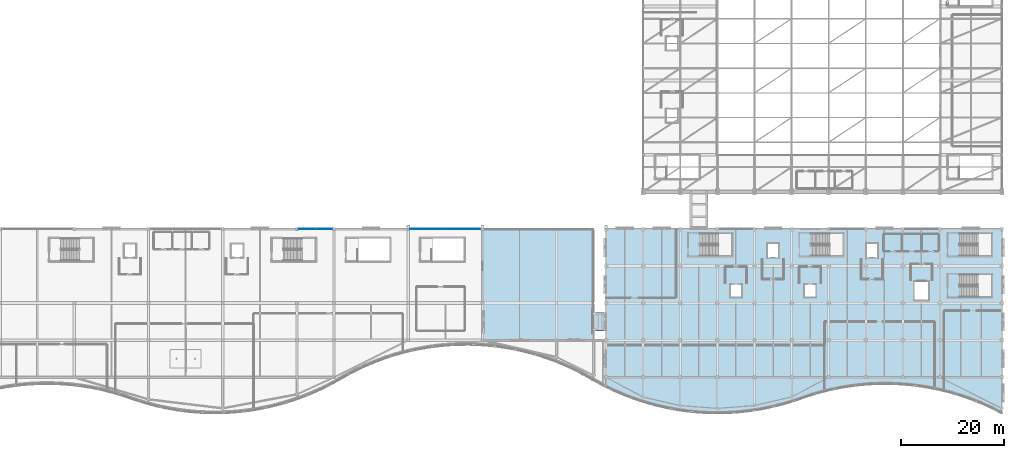
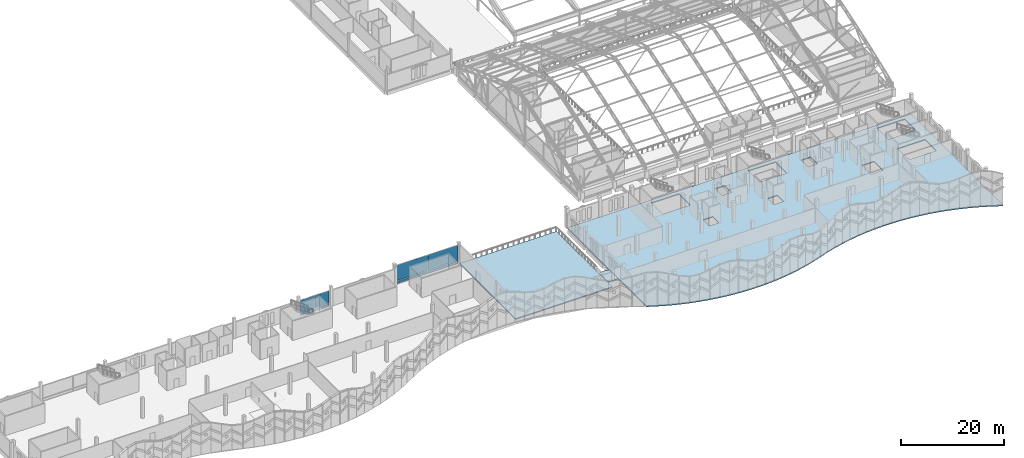
# One storey, part 63 of 116: 8 plates, 3 slabs, 2 elements without a shape of their own.
"""IFC4 building model written with IfcOpenShell, lengths in metres."""

import ifcopenshell
import ifcopenshell.guid

model = None  # the IFC model being written
_history = None  # IfcOwnerHistory: only IFC2X3 demands one
_inside = {}  # id of a spatial element -> (the spatial element, [elements in it])
_under = {}  # id of a project, library or spatial element -> (it, [spatial elements below it])
_declared = {}  # id of a project -> (the project, [libraries it declares])
_typed = {}  # id of a type object -> (the type object, [elements of that type])
_made_of = {}  # id of a material, layer set ... -> (it, [elements and type objects made of it])


def new_model(schema):
    """Start an empty IFC model of exactly this schema.

    Asked for "IFC4X3", IfcOpenShell would pick the latest addendum, in which some entities
    have other attributes; the version numbers below select the first issue.
    IFC2X3 requires an IfcOwnerHistory on every rooted entity: one is made here for all.
    """
    global model, _history
    if schema == "IFC4X3":
        model = ifcopenshell.file(schema_version=(4, 3, 0, 0))
    else:
        model = ifcopenshell.file(schema=schema)
    _inside.clear()
    _under.clear()
    _declared.clear()
    _typed.clear()
    _made_of.clear()
    _history = None
    if model.schema == "IFC2X3":
        org = make("IfcOrganization", Name="unknown")
        user = make(
            "IfcPersonAndOrganization",
            ThePerson=make("IfcPerson", FamilyName="unknown"),
            TheOrganization=org,
        )
        app = make(
            "IfcApplication",
            ApplicationDeveloper=org,
            Version="unknown",
            ApplicationFullName="unknown",
            ApplicationIdentifier="unknown",
        )
        _history = make(
            "IfcOwnerHistory",
            OwningUser=user,
            OwningApplication=app,
            ChangeAction="ADDED",
            CreationDate=0,
        )
    return model


def make(cls, **values):
    """One entity of the class cls with the attributes given. An attribute that is None is left unset."""
    return model.create_entity(
        cls, **{name: value for name, value in values.items() if value is not None}
    )


def rooted(cls, **values):
    """An entity with a GlobalId (a new one), such as an element, a storey or a relation."""
    return make(cls, GlobalId=ifcopenshell.guid.new(), OwnerHistory=_history, **values)


def si_unit(unit_type, name, prefix=None):
    """IfcSIUnit, for example si_unit("LENGTHUNIT", "METRE", prefix="MILLI")."""
    return make("IfcSIUnit", UnitType=unit_type, Prefix=prefix, Name=name)


def assignment(units):
    """IfcUnitAssignment: the units of a project."""
    return None if units is None else make("IfcUnitAssignment", Units=units)


def point(xyz):
    """IfcCartesianPoint."""
    return None if xyz is None else make("IfcCartesianPoint", Coordinates=xyz)


def direction(xyz):
    """IfcDirection."""
    return None if xyz is None else make("IfcDirection", DirectionRatios=xyz)


def frame(location, z_axis=None, x_axis=None):
    """IfcAxis2Placement3D, a coordinate frame: its origin and axes. An axis left out is left unset."""
    return make(
        "IfcAxis2Placement3D",
        Location=point(location),
        Axis=direction(z_axis),
        RefDirection=direction(x_axis),
    )


def frame_2d(location, x_axis=None):
    """IfcAxis2Placement2D, a coordinate frame in the plane: its origin and x axis."""
    return make(
        "IfcAxis2Placement2D", Location=point(location), RefDirection=direction(x_axis)
    )


def origin():
    """The frame at (0, 0, 0) with its axes left unset."""
    return frame((0.0, 0.0, 0.0))


def origin_2d():
    """The frame at (0, 0) in the plane with its x axis left unset."""
    return frame_2d((0.0, 0.0))


def place(relative_to, where):
    """IfcLocalPlacement: puts the frame where relative to a parent placement (None: the world)."""
    return make(
        "IfcLocalPlacement", PlacementRelTo=relative_to, RelativePlacement=where
    )


def context(
    kind, dimensions, precision=None, world=None, true_north=None, identifier=None
):
    """IfcGeometricRepresentationContext, for example the 3D "Model" context."""
    return make(
        "IfcGeometricRepresentationContext",
        ContextIdentifier=identifier,
        ContextType=kind,
        CoordinateSpaceDimension=dimensions,
        Precision=precision,
        WorldCoordinateSystem=world,
        TrueNorth=true_north,
    )


def subcontext(parent, identifier, kind, view, scale=None):
    """IfcGeometricRepresentationSubContext, for example "Body" below "Model"."""
    return make(
        "IfcGeometricRepresentationSubContext",
        ContextIdentifier=identifier,
        ContextType=kind,
        ParentContext=parent,
        TargetScale=scale,
        TargetView=view,
    )


def project(units=None, contexts=None):
    """IfcProject with its units and contexts."""
    return rooted(
        "IfcProject",
        Name="project",
        RepresentationContexts=contexts,
        UnitsInContext=assignment(units),
    )


def spatial(cls, under=None, at=None, **own):
    """A site, building, storey or space (cls), placed at a placement, below another one or the project."""
    s = rooted(cls, ObjectPlacement=at, **own)
    if under is not None:
        _under.setdefault(under.id(), (under, []))[1].append(s)
    return s


def polyline(points):
    """IfcPolyline through the points."""
    return make("IfcPolyline", Points=[point(p) for p in points])


def profile(cls, at=None, kind="AREA", **sizes):
    """A parametric profile (cls). Its sizes go by their IFC names, for example OverallWidth=200.0."""
    return make(cls, ProfileType=kind, Position=at, **sizes)


def rectangle(**sizes):
    """IfcRectangleProfileDef."""
    return profile("IfcRectangleProfileDef", **sizes)


def outline(outer, holes=None, kind="AREA"):
    """IfcArbitraryClosedProfileDef: a profile drawn as a closed curve; with holes, ...WithVoids."""
    if holes is None:
        return make("IfcArbitraryClosedProfileDef", ProfileType=kind, OuterCurve=outer)
    return make(
        "IfcArbitraryProfileDefWithVoids",
        ProfileType=kind,
        OuterCurve=outer,
        InnerCurves=holes,
    )


def extrude(swept, where, along, depth):
    """IfcExtrudedAreaSolid: the profile swept, set in the frame where, extruded along a direction by depth."""
    return make(
        "IfcExtrudedAreaSolid",
        SweptArea=swept,
        Position=where,
        ExtrudedDirection=direction(along),
        Depth=depth,
    )


def shape(context_of_items, identifier, shape_type, items):
    """IfcShapeRepresentation: the items that make up one representation, for example the "Body"."""
    return make(
        "IfcShapeRepresentation",
        ContextOfItems=context_of_items,
        RepresentationIdentifier=identifier,
        RepresentationType=shape_type,
        Items=items,
    )


def material(Name=None, Category=None):
    """IfcMaterial."""
    return make("IfcMaterial", Name=Name, Category=Category)


def layer(
    of_material, thickness, ventilated=None, Name=None, Category=None, Priority=None
):
    """IfcMaterialLayer: one layer of a wall or slab, of a material (None: an air gap)."""
    return make(
        "IfcMaterialLayer",
        Material=of_material,
        LayerThickness=thickness,
        IsVentilated=ventilated,
        Name=Name,
        Category=Category,
        Priority=Priority,
    )


def layer_set(layers, Name=None):
    """IfcMaterialLayerSet."""
    return make("IfcMaterialLayerSet", MaterialLayers=layers, LayerSetName=Name)


def made_of(thing, what):
    """Note that an element or type object is made of a material, layer set ...; save() writes the relation."""
    if what is not None:
        _made_of.setdefault(what.id(), (what, []))[1].append(thing)
    return thing


def type_object(cls, material=None, **own):
    """A type object (cls), such as IfcWallType, which elements share."""
    return made_of(rooted(cls, **own), material)


def element(
    cls,
    number,
    at=None,
    inside=None,
    cuts=None,
    type_object=None,
    material=None,
    context=None,
    identifier="Body",
    shape_type=None,
    held_by="IfcProductDefinitionShape",
    body=None,
    shapes=None,
    **own,
):
    """One element of the class cls, such as IfcWall. Its Tag is "e" and its number.

    at: its placement. inside: the storey or other place that contains it. cuts: it is an
    opening in that element (IfcRelVoidsElement). A single representation is given by context,
    identifier, shape_type and body (its items); several are given by shapes. held_by: the class
    of the entity that holds the representations. save() writes the other relations.
    """
    e = rooted(cls, Tag="e%d" % number, ObjectPlacement=at, **own)
    if body is not None:
        shapes = [shape(context, identifier, shape_type, body)]
    if shapes is not None:
        e.Representation = make(held_by, Representations=shapes)
    if inside is not None:
        _inside.setdefault(inside.id(), (inside, []))[1].append(e)
    if cuts is not None:
        rooted(
            "IfcRelVoidsElement", RelatingBuildingElement=cuts, RelatedOpeningElement=e
        )
    if type_object is not None:
        _typed.setdefault(type_object.id(), (type_object, []))[1].append(e)
    return made_of(e, material)


def aggregate(whole, parts):
    """IfcRelAggregates: a whole, such as a stair, and the parts it consists of."""
    return rooted("IfcRelAggregates", RelatingObject=whole, RelatedObjects=parts)


def save(model, path):
    """Write the relations noted so far, then the file.

    IfcRelAggregates (storeys below a building ...), IfcRelContainedInSpatialStructure (elements
    in a storey), IfcRelDefinesByType, IfcRelAssociatesMaterial and IfcRelDeclares: one each for
    every whole, place, type object, material and project.
    """
    for whole, parts in _under.values():
        aggregate(whole, parts)
    for where, things in _inside.values():
        rooted(
            "IfcRelContainedInSpatialStructure",
            RelatedElements=things,
            RelatingStructure=where,
        )
    for kind, things in _typed.values():
        rooted("IfcRelDefinesByType", RelatedObjects=things, RelatingType=kind)
    for what, things in _made_of.values():
        rooted("IfcRelAssociatesMaterial", RelatedObjects=things, RelatingMaterial=what)
    for by, libraries in _declared.values():
        rooted("IfcRelDeclares", RelatingContext=by, RelatedDefinitions=libraries)
    model.write(path)


model = new_model("IFC4")

# Units and contexts
model_context = context("Model", 3, precision=1e-05, world=origin(), true_north=direction((0.0, 1.0)))
body_context = subcontext(model_context, "Body", "Model", "MODEL_VIEW")
ifc_project = project(units=[si_unit("LENGTHUNIT", "METRE"), si_unit("AREAUNIT", "SQUARE_METRE"), si_unit("VOLUMEUNIT", "CUBIC_METRE"), si_unit("PLANEANGLEUNIT", "RADIAN"), si_unit("MASSUNIT", "GRAM", prefix="KILO")], contexts=[model_context])

# Site, building, storey
site_placement = place(None, origin())
site = spatial("IfcSite", under=ifc_project, at=site_placement, CompositionType="ELEMENT")
building_placement = place(site_placement, origin())
building = spatial("IfcBuilding", under=site, at=building_placement, Name="Cendralis Lancet Convention Centre", CompositionType="ELEMENT")
storey_placement = place(building_placement, frame((0.0, 0.0, 15.0)))
storey = spatial("IfcBuildingStorey", under=building, at=storey_placement, Name="L03", CompositionType="ELEMENT", Elevation=15.0)

# Curtain wall, plates
ifc_material_1 = material(Name="Anodised bronze architectural aluminium", Category="aluminium")
curtain_wall_type = type_object("IfcCurtainWallType", Name="ARC-CW-CL02", PredefinedType="USERDEFINED", material=ifc_material_1)
curtain_wall_1_placement = place(storey_placement, origin())
curtain_wall_1 = element("IfcCurtainWall", 1, at=curtain_wall_1_placement, inside=storey, type_object=curtain_wall_type, Name="L03 Curtain Wall CW-CL2 #177", ObjectType="CURTAIN WALL", PredefinedType="USERDEFINED")
ifc_material_2 = material(Name="Double-glazed low-E solar-control glass", Category="glass")
ifc_layer_1 = layer(ifc_material_2, 0.035888671875, Name="Double-glazed low-E solar-control glass")
ifc_layer_set_1 = layer_set([ifc_layer_1], Name="Double-glazed low-E solar-control glass")
plate_type_1 = type_object("IfcPlateType", Name="ARC-PL-GL03", PredefinedType="CURTAIN_PANEL", material=ifc_layer_set_1)
plate_1_placement = place(storey_placement, frame((73.96240234375, 36.0, 0.820068359375), z_axis=(0.0, 0.0, 1.0), x_axis=(1.0, 0.0, 0.0)))
plate_1 = element("IfcPlate", 2, at=plate_1_placement, type_object=plate_type_1, Name="Vision Glass Panel CW2-CW-CL2-L03-177-PG0", PredefinedType="CURTAIN_PANEL", context=body_context, shape_type="SweptSolid", body=[
    extrude(rectangle(XDim=3.135009765625, YDim=0.035888671875, at=origin_2d()), origin(), (0.0, 0.0, 1.0), 2.89501953125),
])
plate_2_placement = place(storey_placement, frame((77.237548828125, 36.0, 0.820068359375), z_axis=(0.0, 0.0, 1.0), x_axis=(1.0, 0.0, 0.0)))
plate_2 = element("IfcPlate", 3, at=plate_2_placement, type_object=plate_type_1, Name="Vision Glass Panel CW2-CW-CL2-L03-177-PG1", PredefinedType="CURTAIN_PANEL", context=body_context, shape_type="SweptSolid", body=[
    extrude(rectangle(XDim=3.135009765625, YDim=0.035888671875, at=origin_2d()), origin(), (0.0, 0.0, 1.0), 2.89501953125),
])

curtain_wall_2_placement = place(storey_placement, origin())
curtain_wall_2 = element("IfcCurtainWall", 4, at=curtain_wall_2_placement, inside=storey, type_object=curtain_wall_type, Name="L03 Curtain Wall CW-CL2 #178", ObjectType="CURTAIN WALL", PredefinedType="USERDEFINED")
plate_3_placement = place(storey_placement, frame((97.362548828125, 36.0, 0.81982421875), z_axis=(0.0, 0.0, 1.0), x_axis=(1.0, 0.0, 0.0)))
plate_3 = element("IfcPlate", 5, at=plate_3_placement, type_object=plate_type_1, Name="Vision Glass Panel CW2-CW-CL2-L03-178-PG0", PredefinedType="CURTAIN_PANEL", context=body_context, shape_type="SweptSolid", body=[
    extrude(rectangle(XDim=6.735107421875, YDim=0.035888671875, at=origin_2d()), origin(), (0.0, 0.0, 1.0), 3.610107421875),
])
plate_4_placement = place(storey_placement, frame((104.237548828125, 36.0, 0.81982421875), z_axis=(0.0, 0.0, 1.0), x_axis=(1.0, 0.0, 0.0)))
plate_4 = element("IfcPlate", 6, at=plate_4_placement, type_object=plate_type_1, Name="Vision Glass Panel CW2-CW-CL2-L03-178-PG1", PredefinedType="CURTAIN_PANEL", context=body_context, shape_type="SweptSolid", body=[
    extrude(rectangle(XDim=6.735107421875, YDim=0.035888671875, at=origin_2d()), origin(), (0.0, 0.0, 1.0), 3.610107421875),
])

# Plate
ifc_material_3 = material(Name="Insulated ceramic-fritted spandrel glass", Category="glass")
ifc_layer_2 = layer(ifc_material_3, 0.044921875, Name="Insulated ceramic-fritted spandrel glass")
ifc_layer_set_2 = layer_set([ifc_layer_2], Name="Insulated ceramic-fritted spandrel glass")
plate_type_2 = type_object("IfcPlateType", Name="ARC-PL-SP01", PredefinedType="CURTAIN_PANEL", material=ifc_layer_set_2)
plate_5_placement = place(storey_placement, frame((73.96240234375, 36.0, 0.06982421875), z_axis=(0.0, 0.0, 1.0), x_axis=(1.0, 0.0, 0.0)))
plate_5 = element("IfcPlate", 7, at=plate_5_placement, type_object=plate_type_2, Name="Spandrel Panel CW2-CW-CL2-L03-177-PS0", PredefinedType="CURTAIN_PANEL", context=body_context, shape_type="SweptSolid", body=[
    extrude(rectangle(XDim=3.135009765625, YDim=0.044921875, at=origin_2d()), origin(), (0.0, 0.0, 1.0), 0.610107421875),
])

plate_6_placement = place(storey_placement, frame((77.237548828125, 36.0, 0.06982421875), z_axis=(0.0, 0.0, 1.0), x_axis=(1.0, 0.0, 0.0)))
plate_6 = element("IfcPlate", 8, at=plate_6_placement, type_object=plate_type_2, Name="Spandrel Panel CW2-CW-CL2-L03-177-PS1", PredefinedType="CURTAIN_PANEL", context=body_context, shape_type="SweptSolid", body=[
    extrude(rectangle(XDim=3.135009765625, YDim=0.044921875, at=origin_2d()), origin(), (0.0, 0.0, 1.0), 0.610107421875),
])

aggregate(curtain_wall_1, [plate_5, plate_1, plate_6, plate_2])

plate_7_placement = place(storey_placement, frame((97.362548828125, 36.0, 0.06982421875), z_axis=(0.0, 0.0, 1.0), x_axis=(1.0, 0.0, 0.0)))
plate_7 = element("IfcPlate", 9, at=plate_7_placement, type_object=plate_type_2, Name="Spandrel Panel CW2-CW-CL2-L03-178-PS0", PredefinedType="CURTAIN_PANEL", context=body_context, shape_type="SweptSolid", body=[
    extrude(rectangle(XDim=6.735107421875, YDim=0.044921875, at=origin_2d()), origin(), (0.0, 0.0, 1.0), 0.610107421875),
])

plate_8_placement = place(storey_placement, frame((104.237548828125, 36.0, 0.06982421875), z_axis=(0.0, 0.0, 1.0), x_axis=(1.0, 0.0, 0.0)))
plate_8 = element("IfcPlate", 10, at=plate_8_placement, type_object=plate_type_2, Name="Spandrel Panel CW2-CW-CL2-L03-178-PS1", PredefinedType="CURTAIN_PANEL", context=body_context, shape_type="SweptSolid", body=[
    extrude(rectangle(XDim=6.735107421875, YDim=0.044921875, at=origin_2d()), origin(), (0.0, 0.0, 1.0), 0.610107421875),
])

aggregate(curtain_wall_2, [plate_7, plate_3, plate_8, plate_4])

# Slabs
ifc_material_4 = material(Name="Concrete G35 (C35/45)", Category="concrete")
ifc_layer_3 = layer(ifc_material_4, 0.25, Name="Concrete G35 (C35/45)")
ifc_layer_set_3 = layer_set([ifc_layer_3], Name="Concrete G35 (C35/45)")
slab_type_1 = type_object("IfcSlabType", Name="STR-SL-FS25", PredefinedType="FLOOR", material=ifc_layer_set_3)
slab_1_placement = place(storey_placement, frame((0.0, 0.0, -0.25)))
element("IfcSlab", 11, at=slab_1_placement, inside=storey, type_object=slab_type_1, Name="L03 V5 Floor Slab FS-250", PredefinedType="FLOOR", context=body_context, shape_type="SweptSolid", body=[
    extrude(outline(polyline([(132.0, 5.56005859375), (133.968994140625, 4.6259765625), (135.93798828125, 3.798095703125), (137.907958984375, 3.071044921875), (139.876953125, 2.43896484375), (141.845947265625, 1.89892578125), (143.81494140625, 1.447998046875), (145.784912109375, 1.08203125), (147.75390625, 0.801025390625), (149.722900390625, 0.60302734375), (151.69189453125, 0.486083984375), (153.662109375, 0.449951171875), (155.631103515625, 0.4951171875), (157.60009765625, 0.62109375), (159.569091796875, 0.8291015625), (161.5380859375, 1.118896484375), (163.508056640625, 1.493896484375), (165.47705078125, 1.955078125), (167.446044921875, 2.5048828125), (169.4150390625, 3.14697265625), (171.385009765625, 3.825927734375), (173.35400390625, 4.416015625), (175.322998046875, 4.916015625), (177.2919921875, 5.327880859375), (179.261962890625, 5.655029296875), (181.23095703125, 5.89794921875), (183.199951171875, 6.06005859375), (185.1689453125, 6.139892578125), (187.137939453125, 6.139892578125), (189.10791015625, 6.05810546875), (191.076904296875, 5.89501953125), (193.0458984375, 5.64990234375), (195.014892578125, 5.322021484375), (196.985107421875, 4.907958984375), (198.9541015625, 4.407958984375), (200.923095703125, 3.81591796875), (202.89208984375, 3.131103515625), (204.862060546875, 2.347900390625), (206.8310546875, 1.4609375), (208.800048828125, 0.464111328125), (208.800048828125, 36.0), (132.0, 36.0), (132.0, 5.56005859375)]), holes=[polyline([(150.31005859375, 30.75), (156.39990234375, 30.75), (156.39990234375, 35.1298828125), (150.31005859375, 35.1298828125), (150.31005859375, 30.75)]), polyline([(171.909912109375, 30.75), (178.0, 30.75), (178.0, 35.1298828125), (171.909912109375, 35.1298828125), (171.909912109375, 30.75)]), polyline([(200.7099609375, 22.800048828125), (206.800048828125, 22.800048828125), (206.800048828125, 27.179931640625), (200.7099609375, 27.179931640625), (200.7099609375, 22.800048828125)]), polyline([(200.7099609375, 30.75), (206.800048828125, 30.75), (206.800048828125, 35.1298828125), (200.7099609375, 35.1298828125), (200.7099609375, 30.75)]), polyline([(163.35009765625, 30.449951171875), (165.449951171875, 30.449951171875), (165.449951171875, 33.14990234375), (163.35009765625, 33.14990234375), (163.35009765625, 30.449951171875)]), polyline([(182.550048828125, 30.449951171875), (184.64990234375, 30.449951171875), (184.64990234375, 33.14990234375), (182.550048828125, 33.14990234375), (182.550048828125, 30.449951171875)]), polyline([(156.14990234375, 22.800048828125), (158.25, 22.800048828125), (158.25, 25.199951171875), (156.14990234375, 25.199951171875), (156.14990234375, 22.800048828125)]), polyline([(170.550048828125, 22.800048828125), (172.64990234375, 22.800048828125), (172.64990234375, 25.199951171875), (170.550048828125, 25.199951171875), (170.550048828125, 22.800048828125)]), polyline([(191.85009765625, 22.25), (194.550048828125, 22.25), (194.550048828125, 25.75), (191.85009765625, 25.75), (191.85009765625, 22.25)])]), origin(), (0.0, 0.0, 1.0), 0.25),
])
ifc_layer_4 = layer(ifc_material_4, 0.199951171875, Name="Concrete G35 (C35/45)")
ifc_layer_set_4 = layer_set([ifc_layer_4], Name="Concrete G35 (C35/45)")
slab_type_2 = type_object("IfcSlabType", Name="STR-SL-RF20", PredefinedType="ROOF", material=ifc_layer_set_4)
slab_2_placement = place(storey_placement, frame((0.0, 0.0, -0.199951171875)))
element("IfcSlab", 12, at=slab_2_placement, inside=storey, type_object=slab_type_2, Name="Boulevard Foyer-Dining Link Bridge Roof Slab L03", PredefinedType="ROOF", context=body_context, shape_type="SweptSolid", body=[
    extrude(outline(polyline([(129.949951171875, 16.199951171875), (131.64990234375, 16.199951171875), (132.0, 16.550048828125), (132.0, 19.449951171875), (131.64990234375, 19.800048828125), (129.949951171875, 19.800048828125), (129.60009765625, 19.449951171875), (129.60009765625, 16.550048828125), (129.949951171875, 16.199951171875)])), origin(), (0.0, 0.0, 1.0), 0.199951171875),
])
ifc_layer_5 = layer(ifc_material_4, 0.260009765625, Name="Concrete G35 (C35/45)")
ifc_layer_set_5 = layer_set([ifc_layer_5], Name="Concrete G35 (C35/45)")
slab_type_3 = type_object("IfcSlabType", Name="STR-SL-RG26", PredefinedType="FLOOR", material=ifc_layer_set_5)
slab_3_placement = place(storey_placement, frame((0.0, 0.0, -0.260009765625)))
element("IfcSlab", 13, at=slab_3_placement, inside=storey, type_object=slab_type_3, Name="L03 V4 Roof Garden Slab RG-260", PredefinedType="FLOOR", context=body_context, shape_type="SweptSolid", body=[
    extrude(outline(polyline([(108.0, 14.39990234375), (129.60009765625, 14.39990234375), (129.60009765625, 36.0), (108.0, 36.0), (108.0, 14.39990234375)])), origin(), (0.0, 0.0, 1.0), 0.260009765625),
])

save(model, "model.ifc")
